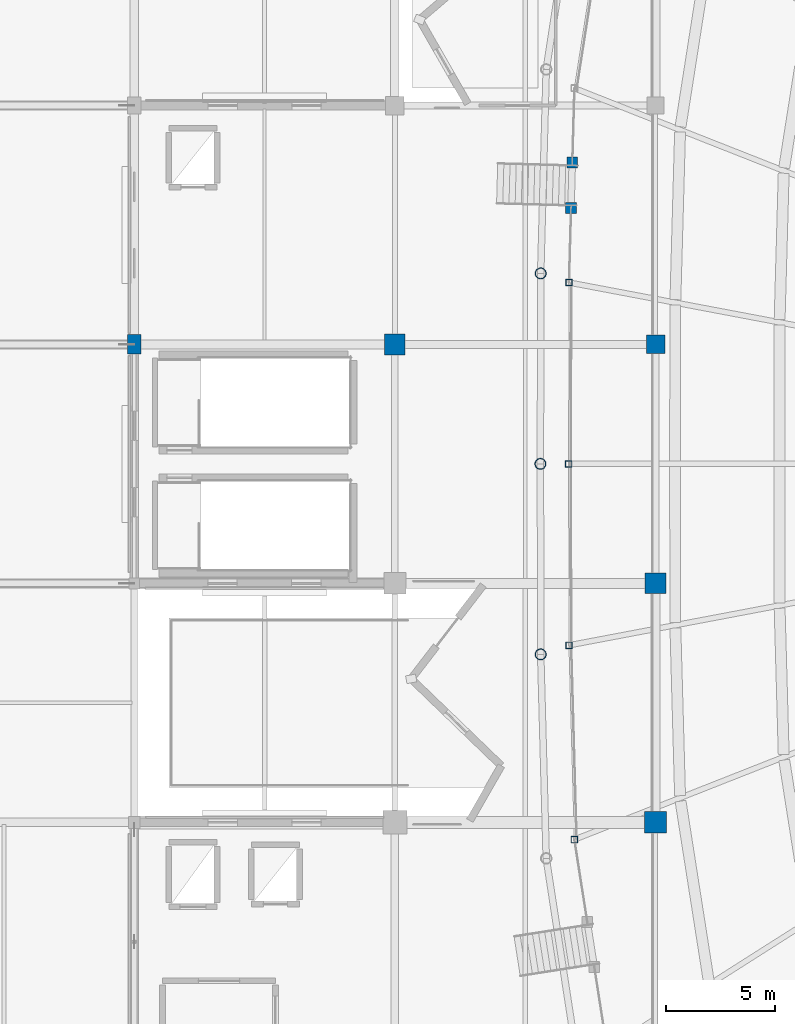
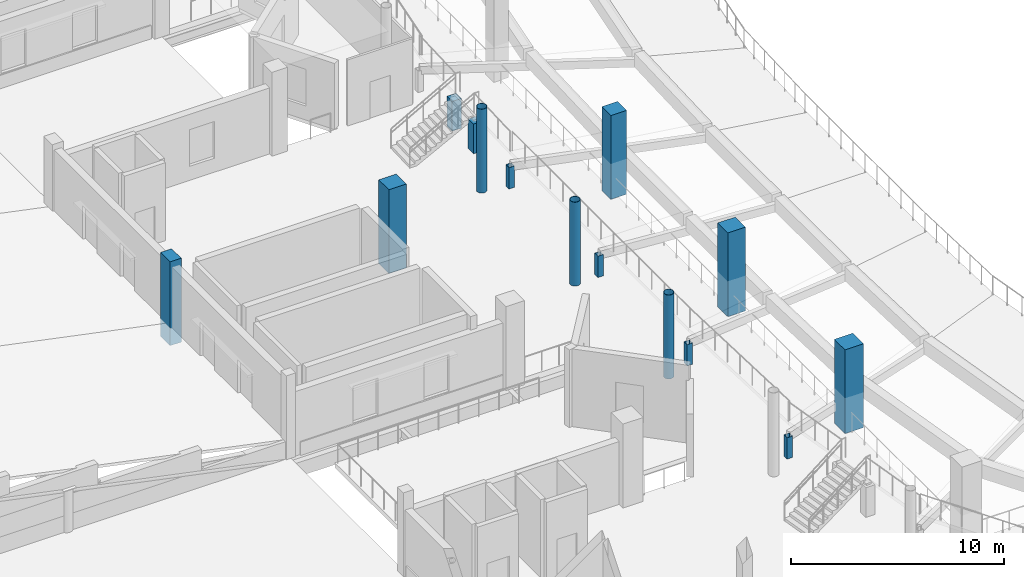
# One storey, part 4 of 77: 14 columns.
"""IFC4 building model written with IfcOpenShell, lengths in metres."""

from ifc_helpers import new_model, si_unit, direction, frame, origin, origin_2d, place, context, subcontext, project, spatial, rectangle, hollow_rectangle, hollow_circle, extrude, material, material_profile, profile_set, type_object, element, save


model = new_model("IFC4")

# Units and contexts
model_context = context("Model", 3, precision=1e-05, world=origin(), true_north=direction((0.0, 1.0)))
body_context = subcontext(model_context, "Body", "Model", "MODEL_VIEW")
ifc_project = project(units=[si_unit("LENGTHUNIT", "METRE"), si_unit("AREAUNIT", "SQUARE_METRE"), si_unit("VOLUMEUNIT", "CUBIC_METRE"), si_unit("PLANEANGLEUNIT", "RADIAN"), si_unit("MASSUNIT", "GRAM", prefix="KILO")], contexts=[model_context])

# Site, building, storey
site_placement = place(None, origin())
site = spatial("IfcSite", under=ifc_project, at=site_placement, CompositionType="ELEMENT")
building_placement = place(site_placement, origin())
building = spatial("IfcBuilding", under=site, at=building_placement, Name="Luwafu Chhajja Arena", CompositionType="ELEMENT")
storey_placement = place(building_placement, frame((0.0, 0.0, 14.699951171875)))
storey = spatial("IfcBuildingStorey", under=building, at=storey_placement, Name="L03", CompositionType="ELEMENT", Elevation=14.699951171875)

# Columns
ifc_material_1 = material(Name="Concrete C40/50", Category="concrete")
ifc_material_profile_1 = material_profile(ifc_material_1, rectangle(XDim=1.0, YDim=1.0, at=origin_2d()), Name="RC 1000x1000")
ifc_profile_set_1 = profile_set([ifc_material_profile_1], Name="Concrete C40/50")
column_type_1 = type_object("IfcColumnType", Name="Bowl Primary Column RC 1000", PredefinedType="COLUMN", material=ifc_profile_set_1)
column_1_placement = place(storey_placement, frame((58.0, 33.0, 0.0), z_axis=(0.0, 0.0, 1.0), x_axis=(1.0, 0.0, 0.0)))
element("IfcColumn", 1, at=column_1_placement, inside=storey, type_object=column_type_1, Name="L03 Grid Column 6/D", PredefinedType="COLUMN", context=body_context, shape_type="SweptSolid", body=[
    extrude(rectangle(XDim=1.0, YDim=1.0, at=origin_2d()), origin(), (0.0, 0.0, 1.0), 4.800048828125),
])
ifc_material_profile_2 = material_profile(ifc_material_1, rectangle(XDim=0.949951171875, YDim=0.949951171875, at=origin_2d()), Name="RC 950x950")
ifc_profile_set_2 = profile_set([ifc_material_profile_2], Name="Concrete C40/50")
column_type_2 = type_object("IfcColumnType", Name="Bowl Raker Support Column RC 950", PredefinedType="COLUMN", material=ifc_profile_set_2)
for number, where, z_axis, x_axis, name in (
    (2, (46.0, 55.0, 0.0), (0.0, 0.0, 1.0), (1.0, 0.0, 0.0), "L03 Grid Column 5/F"),
    (3, (58.0, 44.0, 0.0), (0.0, 0.0, 1.0), (1.0, 0.0, 0.0), "L03 Grid Column 6/E"),
):
    element("IfcColumn", number, at=place(storey_placement, frame(where, z_axis=z_axis, x_axis=x_axis)), inside=storey, type_object=column_type_2, Name=name, PredefinedType="COLUMN", context=body_context, shape_type="SweptSolid", body=[
        extrude(rectangle(XDim=0.949951171875, YDim=0.949951171875, at=origin_2d()), origin(), (0.0, 0.0, 1.0), 4.800048828125),
    ])
ifc_material_2 = material(Name="Concrete C35/45", Category="concrete")
ifc_material_profile_3 = material_profile(ifc_material_2, rectangle(XDim=0.85009765625, YDim=0.85009765625, at=origin_2d()), Name="RC 850x850")
ifc_profile_set_3 = profile_set([ifc_material_profile_3], Name="Concrete C35/45")
column_type_3 = type_object("IfcColumnType", Name="Concourse Heavy Column RC 850", PredefinedType="COLUMN", material=ifc_profile_set_3)
column_2_placement = place(storey_placement, frame((58.0, 55.0, 0.0), z_axis=(0.0, 0.0, 1.0), x_axis=(1.0, 0.0, 0.0)))
element("IfcColumn", 4, at=column_2_placement, inside=storey, type_object=column_type_3, Name="L03 Grid Column 6/F", PredefinedType="COLUMN", context=body_context, shape_type="SweptSolid", body=[
    extrude(rectangle(XDim=0.85009765625, YDim=0.85009765625, at=origin_2d()), origin(), (0.0, 0.0, 1.0), 4.800048828125),
])
ifc_material_profile_4 = material_profile(ifc_material_2, rectangle(XDim=0.5, YDim=0.5, at=origin_2d()), Name="RC 500x500")
ifc_profile_set_4 = profile_set([ifc_material_profile_4], Name="Concrete C35/45")
column_type_4 = type_object("IfcColumnType", Name="Pavilion Column RC 500", PredefinedType="COLUMN", material=ifc_profile_set_4)
for number, where, z_axis, x_axis, name in (
    (5, (54.165283203125, 63.373779296875, 0.0), (0.0, 0.0, 1.0), (1.0, 0.0, 0.0), "L03 Vomitory Header Column VU15A"),
    (6, (54.107177734375, 61.274658203125, 0.0), (0.0, 0.0, 1.0), (1.0, 0.0, 0.0), "L03 Vomitory Header Column VU15B"),
):
    element("IfcColumn", number, at=place(storey_placement, frame(where, z_axis=z_axis, x_axis=x_axis)), inside=storey, type_object=column_type_4, Name=name, PredefinedType="COLUMN", context=body_context, shape_type="SweptSolid", body=[
        extrude(rectangle(XDim=0.5, YDim=0.5, at=origin_2d()), origin(), (0.0, 0.0, 1.0), 1.699951171875),
    ])
ifc_material_3 = material(Name="Steel S355", Category="steel")
ifc_material_profile_5 = material_profile(ifc_material_3, hollow_rectangle(XDim=0.300048828125, YDim=0.300048828125, WallThickness=0.01611328125, at=origin_2d()), Name="SHS 300x300x16")
ifc_profile_set_5 = profile_set([ifc_material_profile_5], Name="Steel S355")
column_type_5 = type_object("IfcColumnType", Name="Steel Gallery Post SHS 300", PredefinedType="COLUMN", material=ifc_profile_set_5)
for number, where, z_axis, x_axis, name in (
    (7, (54.01220703125, 57.85205078125, 0.0), (0.0, 0.0, 1.0), (1.0, 0.0, 0.0), "L03 Upper Raker Rear Post 16"),
    (8, (54.0, 49.5, 0.0), (0.0, 0.0, 1.0), (1.0, 0.0, 0.0), "L03 Upper Raker Rear Post 17"),
    (9, (54.01220703125, 41.14794921875, 0.0), (0.0, 0.0, 1.0), (1.0, 0.0, 0.0), "L03 Upper Raker Rear Post 18"),
    (10, (54.260498046875, 32.20361328125, 0.0), (0.0, 0.0, 1.0), (1.0, 0.0, 0.0), "L03 Upper Raker Rear Post 19"),
):
    element("IfcColumn", number, at=place(storey_placement, frame(where, z_axis=z_axis, x_axis=x_axis)), inside=storey, type_object=column_type_5, Name=name, PredefinedType="COLUMN", context=body_context, shape_type="SweptSolid", body=[
        extrude(hollow_rectangle(XDim=0.300048828125, YDim=0.300048828125, WallThickness=0.01611328125, at=origin_2d()), origin(), (0.0, 0.0, 1.0), 1.219970703125),
    ])
ifc_material_profile_6 = material_profile(ifc_material_3, hollow_circle(Radius=0.25390625, WallThickness=0.02001953125, at=origin_2d()), Name="CHS 508x20")
ifc_profile_set_6 = profile_set([ifc_material_profile_6], Name="Steel S355")
column_type_6 = type_object("IfcColumnType", Name="Steel Upper Drum Column CHS 508", PredefinedType="COLUMN", material=ifc_profile_set_6)
for number, where, z_axis, x_axis, name in (
    (11, (52.71240234375, 58.269775390625, 0.0), (0.0, 0.0, 1.0), (1.0, 0.0, 0.0), "L03 Bowl Drum Column D16"),
    (12, (52.699951171875, 49.5, 0.0), (0.0, 0.0, 1.0), (1.0, 0.0, 0.0), "L03 Bowl Drum Column D17"),
    (13, (52.71240234375, 40.730224609375, 0.0), (0.0, 0.0, 1.0), (1.0, 0.0, 0.0), "L03 Bowl Drum Column D18"),
):
    element("IfcColumn", number, at=place(storey_placement, frame(where, z_axis=z_axis, x_axis=x_axis)), inside=storey, type_object=column_type_6, Name=name, PredefinedType="COLUMN", context=body_context, shape_type="SweptSolid", body=[
        extrude(hollow_circle(Radius=0.25390625, WallThickness=0.02001953125, at=origin_2d()), origin(), (0.0, 0.0, 1.0), 4.800048828125),
    ])
ifc_material_profile_7 = material_profile(ifc_material_1, rectangle(XDim=0.60009765625, YDim=0.89990234375, at=origin_2d()), Name="RC 600x900")
ifc_profile_set_7 = profile_set([ifc_material_profile_7], Name="Concrete C40/50")
column_type_7 = type_object("IfcColumnType", Name="Warm-Up Hall Portal Column RC 600x900", PredefinedType="COLUMN", material=ifc_profile_set_7)
column_3_placement = place(storey_placement, frame((34.0, 55.0, 0.0), z_axis=(0.0, 0.0, 1.0), x_axis=(1.0, 0.0, 0.0)))
element("IfcColumn", 14, at=column_3_placement, inside=storey, type_object=column_type_7, Name="L03 Grid Column 4/F", PredefinedType="COLUMN", context=body_context, shape_type="SweptSolid", body=[
    extrude(rectangle(XDim=0.60009765625, YDim=0.89990234375, at=origin_2d()), origin(), (0.0, 0.0, 1.0), 4.800048828125),
])

save(model, "model.ifc")
